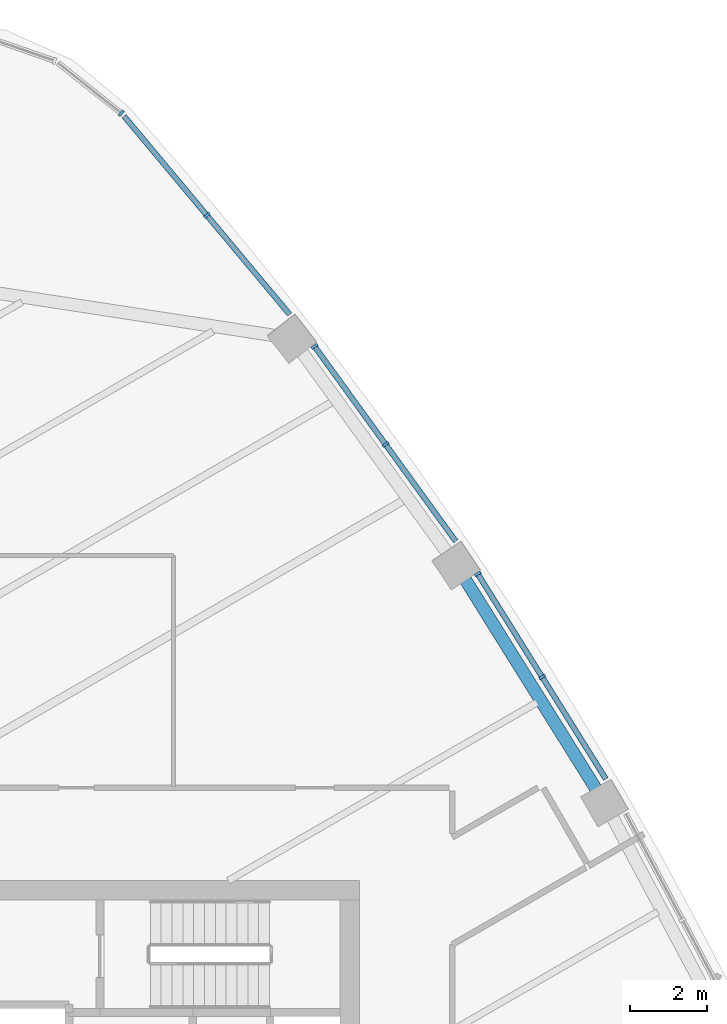
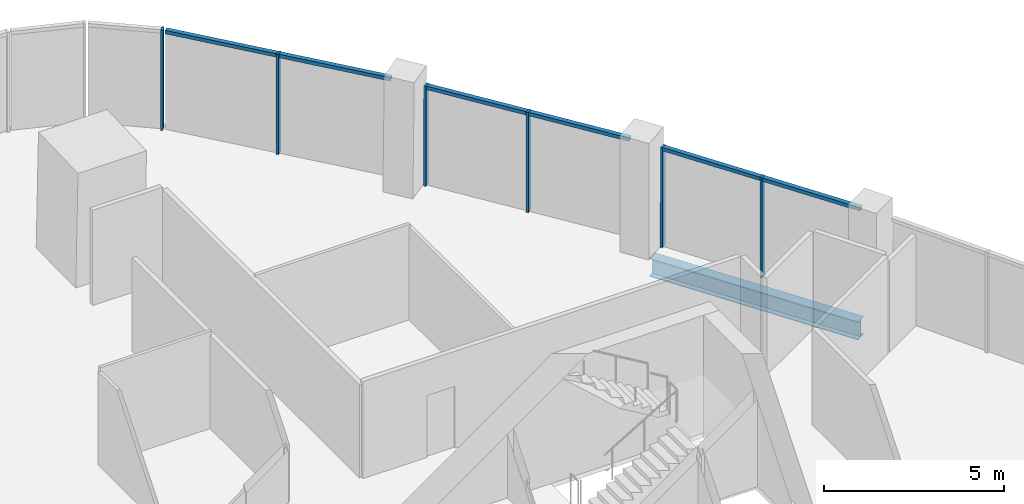
# One storey, part 6 of 16: 12 members, 1 beam, 4 elements without a shape of their own.
"""IFC4 building model written with IfcOpenShell, lengths in metres."""

from ifc_helpers import new_model, si_unit, direction, frame, origin, origin_2d, place, context, subcontext, project, spatial, rectangle, i_section, extrude, material, layer, layer_set, material_profile, profile_set, type_object, element, aggregate, save


model = new_model("IFC4")

# Units and contexts
model_context = context("Model", 3, precision=1e-05, world=origin(), true_north=direction((0.0, 1.0)))
body_context = subcontext(model_context, "Body", "Model", "MODEL_VIEW")
ifc_project = project(units=[si_unit("LENGTHUNIT", "METRE"), si_unit("AREAUNIT", "SQUARE_METRE"), si_unit("VOLUMEUNIT", "CUBIC_METRE"), si_unit("PLANEANGLEUNIT", "RADIAN"), si_unit("MASSUNIT", "GRAM", prefix="KILO")], contexts=[model_context])

# Site, building, storey
site_placement = place(None, origin())
site = spatial("IfcSite", under=ifc_project, at=site_placement, CompositionType="ELEMENT")
building_placement = place(site_placement, origin())
building = spatial("IfcBuilding", under=site, at=building_placement, Name="Sierra Prisma Convention Tower", CompositionType="ELEMENT")
storey_placement = place(building_placement, frame((0.0, 0.0, 303.0)))
storey = spatial("IfcBuildingStorey", under=building, at=storey_placement, Name="L69", CompositionType="ELEMENT", Elevation=303.0)

# Curtain wall, members
ifc_material_1 = material(Name="Aluminium and glass curtain wall", Category="aluminium")
ifc_layer = layer(ifc_material_1, 0.179931640625)
ifc_layer_set = layer_set([ifc_layer], Name="CW-1 Plain shaft curtain wall")
curtain_wall_type = type_object("IfcCurtainWallType", Name="CW-1 Plain shaft curtain wall", PredefinedType="NOTDEFINED", material=ifc_layer_set)
curtain_wall_1_placement = place(storey_placement, origin())
curtain_wall_1 = element("IfcCurtainWall", 1, at=curtain_wall_1_placement, inside=storey, type_object=curtain_wall_type, Name="CW-1 NE4 L69", PredefinedType="NOTDEFINED")
ifc_material_2 = material(Name="Aluminium 6063-T6 bronze anodised", Category="aluminium")
ifc_material_profile_1 = material_profile(ifc_material_2, rectangle(XDim=0.179931640625, YDim=0.070068359375, at=origin_2d()), Name="ALU MULLION 70x180")
ifc_profile_set_1 = profile_set([ifc_material_profile_1], Name="Aluminium 6063-T6 bronze anodised")
member_type_1 = type_object("IfcMemberType", Name="CW mullion bronze", PredefinedType="MULLION", material=ifc_profile_set_1)
member_1_placement = place(storey_placement, frame((15.72119140625, 13.260009765625, 0.0), z_axis=(0.0, 0.0, 1.0), x_axis=(-0.848275736009, -0.529554790081, 0.0)))
member_1 = element("IfcMember", 2, at=member_1_placement, type_object=member_type_1, Name="CW-1 mullion NE4.2", PredefinedType="MULLION", context=body_context, shape_type="SweptSolid", body=[
    extrude(rectangle(XDim=0.179931640625, YDim=0.070068359375, at=origin_2d()), origin(), (0.0, 0.0, 1.0), 3.39990234375),
])
member_2_placement = place(storey_placement, frame((14.05859375, 15.923583984375, 0.0), z_axis=(0.0, 0.0, 1.0), x_axis=(-0.848275736009, -0.529554790081, 0.0)))
member_2 = element("IfcMember", 3, at=member_2_placement, type_object=member_type_1, Name="CW-1 mullion NE4.3", PredefinedType="MULLION", context=body_context, shape_type="SweptSolid", body=[
    extrude(rectangle(XDim=0.179931640625, YDim=0.070068359375, at=origin_2d()), origin(), (0.0, 0.0, 1.0), 3.39990234375),
])

curtain_wall_2_placement = place(storey_placement, origin())
curtain_wall_2 = element("IfcCurtainWall", 4, at=curtain_wall_2_placement, inside=storey, type_object=curtain_wall_type, Name="CW-1 NE5 L69", PredefinedType="NOTDEFINED")
member_3_placement = place(storey_placement, frame((11.67724609375, 19.268310546875, 0.0), z_axis=(0.0, 0.0, 1.0), x_axis=(-0.809774075312, -0.586741806038, 0.0)))
member_3 = element("IfcMember", 5, at=member_3_placement, type_object=member_type_1, Name="CW-1 mullion NE5.2", PredefinedType="MULLION", context=body_context, shape_type="SweptSolid", body=[
    extrude(rectangle(XDim=0.179931640625, YDim=0.070068359375, at=origin_2d()), origin(), (0.0, 0.0, 1.0), 3.39990234375),
])
member_4_placement = place(storey_placement, frame((9.84375, 21.798583984375, 0.0), z_axis=(0.0, 0.0, 1.0), x_axis=(-0.809774075312, -0.586741806038, 0.0)))
member_4 = element("IfcMember", 6, at=member_4_placement, type_object=member_type_1, Name="CW-1 mullion NE5.3", PredefinedType="MULLION", context=body_context, shape_type="SweptSolid", body=[
    extrude(rectangle(XDim=0.179931640625, YDim=0.070068359375, at=origin_2d()), origin(), (0.0, 0.0, 1.0), 3.39990234375),
])

# Curtain wall, member
curtain_wall_3_placement = place(storey_placement, origin())
curtain_wall_3 = element("IfcCurtainWall", 7, at=curtain_wall_3_placement, inside=storey, type_object=curtain_wall_type, Name="CW-1 NE6 L69", PredefinedType="NOTDEFINED")
member_5_placement = place(storey_placement, frame((7.0625, 25.184326171875, 0.0), z_axis=(0.0, 0.0, 1.0), x_axis=(-0.7674237749, -0.641140195058, 0.0)))
member_5 = element("IfcMember", 8, at=member_5_placement, type_object=member_type_1, Name="CW-1 mullion NE6.2", PredefinedType="MULLION", context=body_context, shape_type="SweptSolid", body=[
    extrude(rectangle(XDim=0.179931640625, YDim=0.070068359375, at=origin_2d()), origin(), (0.0, 0.0, 1.0), 3.39990234375),
])

curtain_wall_4_placement = place(storey_placement, origin())
curtain_wall_4 = element("IfcCurtainWall", 9, at=curtain_wall_4_placement, inside=storey, type_object=curtain_wall_type, Name="CW-1 N1 L69", PredefinedType="NOTDEFINED")
member_6_placement = place(storey_placement, frame((4.8515625, 27.820068359375, 0.0), z_axis=(0.0, 0.0, 1.0), x_axis=(-0.622762956704, -0.782410569814, 0.0)))
member_6 = element("IfcMember", 10, at=member_6_placement, type_object=member_type_1, Name="CW-1 mullion N1.1", PredefinedType="MULLION", context=body_context, shape_type="SweptSolid", body=[
    extrude(rectangle(XDim=0.179931640625, YDim=0.070068359375, at=origin_2d()), origin(), (0.0, 0.0, 1.0), 3.39990234375),
])
aggregate(curtain_wall_4, [member_6])

# Member
ifc_material_3 = material(Name="Aluminium 6063-T6 bronze anodised", Category="aluminium")
ifc_material_profile_2 = material_profile(ifc_material_3, rectangle(XDim=0.139892578125, YDim=0.1201171875, at=origin_2d()), Name="ALU TRANSOM 120x140")
ifc_profile_set_2 = profile_set([ifc_material_profile_2], Name="Aluminium 6063-T6 bronze anodised")
member_type_2 = type_object("IfcMemberType", Name="CW transom bronze", PredefinedType="USERDEFINED", material=ifc_profile_set_2)
member_7_placement = place(storey_placement, frame((17.365478515625, 10.626220703125, 3.340087890625), z_axis=(-0.529584253047, 0.848257342394, 0.0), x_axis=(-0.848257342394, -0.529584253047, 0.0)))
member_7 = element("IfcMember", 11, at=member_7_placement, type_object=member_type_2, Name="CW-1 transom NE4.1", ObjectType="TRANSOM", PredefinedType="USERDEFINED", context=body_context, shape_type="SweptSolid", body=[
    extrude(rectangle(XDim=0.139892578125, YDim=0.1201171875, at=origin_2d()), origin(), (0.0, 0.0, 1.0), 3.06982421875),
])

member_8_placement = place(storey_placement, frame((15.702880859375, 13.28955078125, 3.340087890625), z_axis=(-0.52954852863, 0.848279644826, 0.0), x_axis=(-0.848279644826, -0.52954852863, 0.0)))
member_8 = element("IfcMember", 12, at=member_8_placement, type_object=member_type_2, Name="CW-1 transom NE4.2", ObjectType="TRANSOM", PredefinedType="USERDEFINED", context=body_context, shape_type="SweptSolid", body=[
    extrude(rectangle(XDim=0.139892578125, YDim=0.1201171875, at=origin_2d()), origin(), (0.0, 0.0, 1.0), 3.070068359375),
])

aggregate(curtain_wall_1, [member_1, member_2, member_7, member_8])

member_9_placement = place(storey_placement, frame((13.490234375, 16.76611328125, 3.340087890625), z_axis=(-0.586773729454, 0.809750943453, 0.0), x_axis=(-0.809750943453, -0.586773729454, 0.0)))
member_9 = element("IfcMember", 13, at=member_9_placement, type_object=member_type_2, Name="CW-1 transom NE5.1", ObjectType="TRANSOM", PredefinedType="USERDEFINED", context=body_context, shape_type="SweptSolid", body=[
    extrude(rectangle(XDim=0.139892578125, YDim=0.1201171875, at=origin_2d()), origin(), (0.0, 0.0, 1.0), 3.0546875),
])

member_10_placement = place(storey_placement, frame((11.65673828125, 19.296630859375, 3.340087890625), z_axis=(-0.586773729454, 0.809750943453, 0.0), x_axis=(-0.809750943453, -0.586773729454, 0.0)))
member_10 = element("IfcMember", 14, at=member_10_placement, type_object=member_type_2, Name="CW-1 transom NE5.2", ObjectType="TRANSOM", PredefinedType="USERDEFINED", context=body_context, shape_type="SweptSolid", body=[
    extrude(rectangle(XDim=0.139892578125, YDim=0.1201171875, at=origin_2d()), origin(), (0.0, 0.0, 1.0), 3.0546875),
])

aggregate(curtain_wall_2, [member_3, member_4, member_9, member_10])

member_11_placement = place(storey_placement, frame((9.201171875, 22.62451171875, 3.340087890625), z_axis=(-0.641151534106, 0.767414301609, 0.0), x_axis=(-0.767414301609, -0.641151534106, 0.0)))
member_11 = element("IfcMember", 15, at=member_11_placement, type_object=member_type_2, Name="CW-1 transom NE6.1", ObjectType="TRANSOM", PredefinedType="USERDEFINED", context=body_context, shape_type="SweptSolid", body=[
    extrude(rectangle(XDim=0.139892578125, YDim=0.1201171875, at=origin_2d()), origin(), (0.0, 0.0, 1.0), 3.300537109375),
])

member_12_placement = place(storey_placement, frame((7.0400390625, 25.211181640625, 3.340087890625), z_axis=(-0.641115141235, 0.767444705291, 0.0), x_axis=(-0.767444705291, -0.641115141235, 0.0)))
member_12 = element("IfcMember", 16, at=member_12_placement, type_object=member_type_2, Name="CW-1 transom NE6.2", ObjectType="TRANSOM", PredefinedType="USERDEFINED", context=body_context, shape_type="SweptSolid", body=[
    extrude(rectangle(XDim=0.139892578125, YDim=0.1201171875, at=origin_2d()), origin(), (0.0, 0.0, 1.0), 3.30078125),
])

aggregate(curtain_wall_3, [member_5, member_11, member_12])

# Beam
ifc_material_4 = material(Name="Steel ASTM A992 Gr 50", Category="steel")
ifc_material_profile_3 = material_profile(ifc_material_4, i_section(OverallWidth=0.324951171875, OverallDepth=0.615966796875, WebThickness=0.013916015625, FlangeThickness=0.021484375, at=origin_2d()), Name="W610x174")
ifc_profile_set_3 = profile_set([ifc_material_profile_3], Name="Steel ASTM A992 Gr 50")
beam_type = type_object("IfcBeamType", Name="Spandrel beam W610x174", PredefinedType="BEAM", material=ifc_profile_set_3)
beam_placement = place(storey_placement, frame((17.162841796875, 10.2900390625, -0.4580078125), z_axis=(-0.529541755301, 0.848283873118, 0.0), x_axis=(-0.848283873118, -0.529541755301, 0.0)))
element("IfcBeam", 17, at=beam_placement, inside=storey, type_object=beam_type, Name="Spandrel L69-10", PredefinedType="BEAM", context=body_context, shape_type="SweptSolid", body=[
    extrude(i_section(OverallWidth=0.324951171875, OverallDepth=0.615966796875, WebThickness=0.013916015625, FlangeThickness=0.021484375, at=origin_2d()), origin(), (0.0, 0.0, 1.0), 6.5771484375),
])

save(model, "model.ifc")
